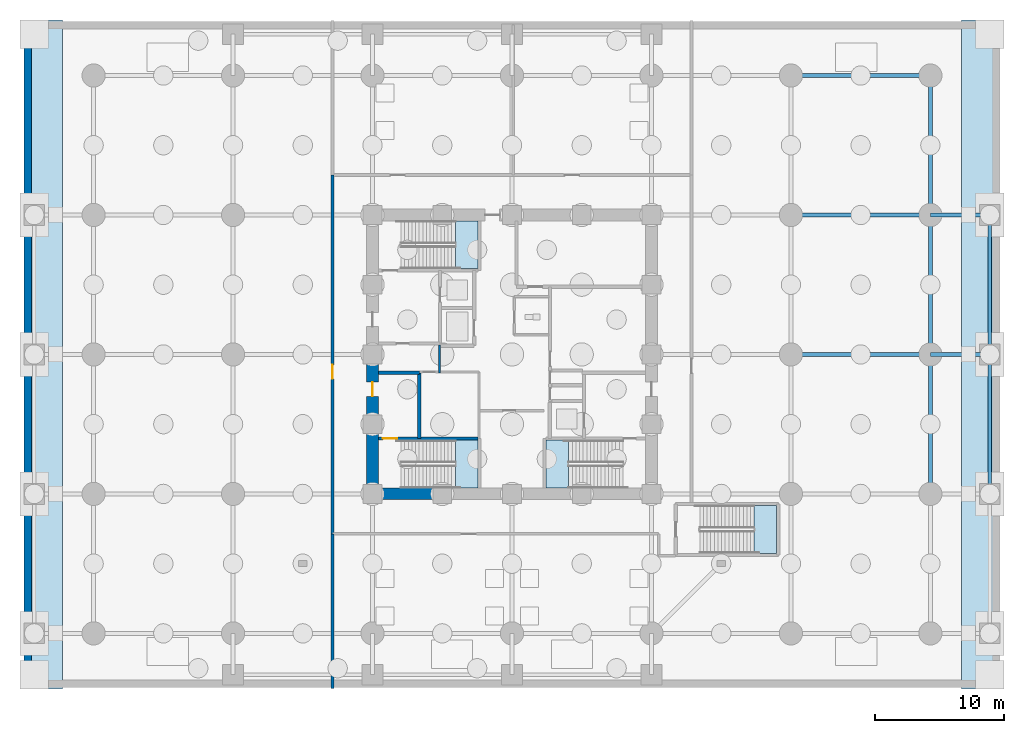
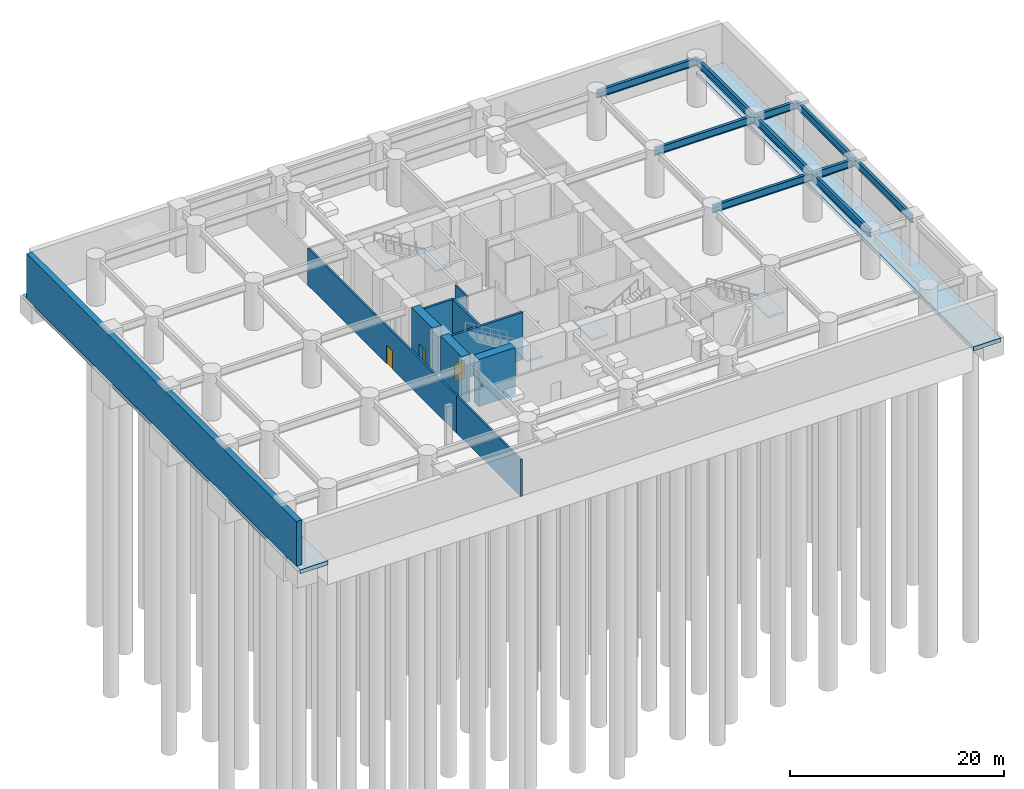
# One storey, part 3 of 9: 10 beams, 10 walls, 6 slabs, 3 doors, 3 openings, 4 elements without a shape of their own.
"""IFC4 building model written with IfcOpenShell, lengths in metres."""

from ifc_helpers import new_model, si_unit, direction, frame, frame_2d, origin, origin_2d, place, context, subcontext, project, spatial, polyline, rectangle, i_section, outline, extrude, material, layer, layer_set, material_profile, profile_set, type_object, element, fill, aggregate, save


model = new_model("IFC4")

# Units and contexts
model_context = context("Model", 3, precision=1e-05, world=origin(), true_north=direction((0.0, 1.0)))
body_context = subcontext(model_context, "Body", "Model", "MODEL_VIEW")
ifc_project = project(units=[si_unit("LENGTHUNIT", "METRE"), si_unit("AREAUNIT", "SQUARE_METRE"), si_unit("VOLUMEUNIT", "CUBIC_METRE"), si_unit("PLANEANGLEUNIT", "RADIAN"), si_unit("MASSUNIT", "GRAM", prefix="KILO")], contexts=[model_context])

# Site, building, storey
site_placement = place(None, origin())
site = spatial("IfcSite", under=ifc_project, at=site_placement, CompositionType="ELEMENT")
building_placement = place(site_placement, origin())
building = spatial("IfcBuilding", under=site, at=building_placement, Name="Surkhivell Harbour Commons", CompositionType="ELEMENT")
storey_placement = place(building_placement, frame((0.0, 0.0, -5.39990234375)))
storey = spatial("IfcBuildingStorey", under=building, at=storey_placement, Name="B1", CompositionType="ELEMENT", Elevation=-5.39990234375)

# Beams
ifc_material_1 = material(Name="Steel S460", Category="steel")
ifc_material_profile = material_profile(ifc_material_1, i_section(OverallWidth=0.2939453125, OverallDepth=0.85107421875, WebThickness=0.01611328125, FlangeThickness=0.02685546875, at=origin_2d()), Name="UB838x292x226")
ifc_profile_set = profile_set([ifc_material_profile], Name="Steel S460")
beam_type = type_object("IfcBeamType", Name="BM-SPN-838", PredefinedType="SPANDREL", material=ifc_profile_set)
for number, where, z_axis, x_axis, name in (
    (1, (21.60009765625, 0.0, 4.67431640625), (1.0, 0.0, 0.0), (0.0, 1.0, 0.0), "B1 Framing Beam (21.6,0.0)"),
    (2, (21.60009765625, 10.800048828125, 4.67431640625), (1.0, 0.0, 0.0), (0.0, 1.0, 0.0), "B1 Framing Beam (21.6,10.8)"),
    (3, (21.60009765625, 21.60009765625, 4.67431640625), (1.0, 0.0, 0.0), (0.0, 1.0, 0.0), "B1 Framing Beam (21.6,21.6)"),
):
    element("IfcBeam", number, at=place(storey_placement, frame(where, z_axis=z_axis, x_axis=x_axis)), inside=storey, type_object=beam_type, Name=name, PredefinedType="SPANDREL", context=body_context, shape_type="SweptSolid", body=[
        extrude(i_section(OverallWidth=0.2939453125, OverallDepth=0.85107421875, WebThickness=0.01611328125, FlangeThickness=0.02685546875, at=origin_2d()), origin(), (0.0, 0.0, 1.0), 10.7998046875),
    ])
for number, where, z_axis, x_axis, name in (
    (4, (32.39990234375, -10.800048828125, 4.67431640625), (0.0, 1.0, 0.0), (-1.0, 0.0, 0.0), "B1 Framing Beam (32.4,-10.8)"),
    (5, (32.39990234375, 0.0, 4.67431640625), (0.0, 1.0, 0.0), (-1.0, 0.0, 0.0), "B1 Framing Beam (32.4,0.0)"),
):
    element("IfcBeam", number, at=place(storey_placement, frame(where, z_axis=z_axis, x_axis=x_axis)), inside=storey, type_object=beam_type, Name=name, PredefinedType="SPANDREL", context=body_context, shape_type="SweptSolid", body=[
        extrude(i_section(OverallWidth=0.2939453125, OverallDepth=0.85107421875, WebThickness=0.01611328125, FlangeThickness=0.02685546875, at=origin_2d()), origin(), (0.0, 0.0, 1.0), 10.800048828125),
    ])
beam_1_placement = place(storey_placement, frame((32.39990234375, 0.0, 4.67431640625), z_axis=(1.0, 0.0, 0.0), x_axis=(0.0, 1.0, 0.0)))
element("IfcBeam", 6, at=beam_1_placement, inside=storey, type_object=beam_type, Name="B1 Framing Beam (32.4,0.0)", PredefinedType="SPANDREL", context=body_context, shape_type="SweptSolid", body=[
    extrude(i_section(OverallWidth=0.2939453125, OverallDepth=0.85107421875, WebThickness=0.01611328125, FlangeThickness=0.02685546875, at=origin_2d()), origin(), (0.0, 0.0, 1.0), 4.60009765625),
])
beam_2_placement = place(storey_placement, frame((32.39990234375, 10.800048828125, 4.67431640625), z_axis=(0.0, 1.0, 0.0), x_axis=(-1.0, 0.0, 0.0)))
element("IfcBeam", 7, at=beam_2_placement, inside=storey, type_object=beam_type, Name="B1 Framing Beam (32.4,10.8)", PredefinedType="SPANDREL", context=body_context, shape_type="SweptSolid", body=[
    extrude(i_section(OverallWidth=0.2939453125, OverallDepth=0.85107421875, WebThickness=0.01611328125, FlangeThickness=0.02685546875, at=origin_2d()), origin(), (0.0, 0.0, 1.0), 10.800048828125),
])
beam_3_placement = place(storey_placement, frame((32.39990234375, 10.800048828125, 4.67431640625), z_axis=(1.0, 0.0, 0.0), x_axis=(0.0, 1.0, 0.0)))
element("IfcBeam", 8, at=beam_3_placement, inside=storey, type_object=beam_type, Name="B1 Framing Beam (32.4,10.8)", PredefinedType="SPANDREL", context=body_context, shape_type="SweptSolid", body=[
    extrude(i_section(OverallWidth=0.2939453125, OverallDepth=0.85107421875, WebThickness=0.01611328125, FlangeThickness=0.02685546875, at=origin_2d()), origin(), (0.0, 0.0, 1.0), 4.60009765625),
])
for number, where, z_axis, x_axis, name in (
    (9, (37.0, -10.800048828125, 4.67431640625), (0.0, 1.0, 0.0), (-1.0, 0.0, 0.0), "B1 Framing Beam (37.0,-10.8)"),
    (10, (37.0, 0.0, 4.67431640625), (0.0, 1.0, 0.0), (-1.0, 0.0, 0.0), "B1 Framing Beam (37.0,0.0)"),
):
    element("IfcBeam", number, at=place(storey_placement, frame(where, z_axis=z_axis, x_axis=x_axis)), inside=storey, type_object=beam_type, Name=name, PredefinedType="SPANDREL", context=body_context, shape_type="SweptSolid", body=[
        extrude(i_section(OverallWidth=0.2939453125, OverallDepth=0.85107421875, WebThickness=0.01611328125, FlangeThickness=0.02685546875, at=origin_2d()), origin(), (0.0, 0.0, 1.0), 10.800048828125),
    ])

# Slabs
ifc_material_2 = material(Name="Concrete C50/60", Category="concrete")
ifc_layer_1 = layer(ifc_material_2, 0.449951171875)
ifc_layer_set_1 = layer_set([ifc_layer_1], Name="Concrete C50/60")
slab_type_1 = type_object("IfcSlabType", Name="SLB-BASE-450", PredefinedType="BASESLAB", material=ifc_layer_set_1)
slab_1_placement = place(storey_placement, frame((0.0, 0.0, -0.4501953125)))
element("IfcSlab", 11, at=slab_1_placement, inside=storey, type_object=slab_type_1, Name="B1 Perimeter Basement Base Slab W", PredefinedType="BASESLAB", context=body_context, shape_type="SweptSolid", body=[
    extrude(outline(polyline([(-37.800048828125, -25.89990234375), (-34.800048828125, -25.89990234375), (-34.800048828125, 25.89990234375), (-37.800048828125, 25.89990234375), (-37.800048828125, -25.89990234375)])), origin(), (0.0, 0.0, 1.0), 0.4501953125),
])
slab_2_placement = place(storey_placement, frame((0.0, 0.0, -0.4501953125)))
element("IfcSlab", 12, at=slab_2_placement, inside=storey, type_object=slab_type_1, Name="B1 Perimeter Basement Base Slab E", PredefinedType="BASESLAB", context=body_context, shape_type="SweptSolid", body=[
    extrude(outline(polyline([(34.800048828125, -25.89990234375), (37.800048828125, -25.89990234375), (37.800048828125, 25.89990234375), (34.800048828125, 25.89990234375), (34.800048828125, -25.89990234375)])), origin(), (0.0, 0.0, 1.0), 0.4501953125),
])

# Stair, slab
ifc_material_3 = material(Name="Precast concrete C45/55", Category="concrete")
stair_type = type_object("IfcStairType", Name="STR-DL-540", PredefinedType="HALF_TURN_STAIR", material=ifc_material_3)
stair_1_placement = place(storey_placement, origin())
stair_1 = element("IfcStair", 13, at=stair_1_placement, inside=storey, type_object=stair_type, Name="B1 Core Exit Stair ST1", PredefinedType="HALF_TURN_STAIR")
ifc_material_4 = material(Name="Reinforced concrete C45/55", Category="concrete")
ifc_layer_2 = layer(ifc_material_4, 0.199951171875)
ifc_layer_set_2 = layer_set([ifc_layer_2], Name="Reinforced concrete C45/55")
slab_type_2 = type_object("IfcSlabType", Name="SLB-ST-LND200", PredefinedType="LANDING", material=ifc_layer_set_2)
slab_3_placement = place(storey_placement, frame((0.0, 0.0, 2.5)))
slab_3 = element("IfcSlab", 14, at=slab_3_placement, type_object=slab_type_2, Name="ST1 landing 1", PredefinedType="LANDING", context=body_context, shape_type="SweptSolid", body=[
    extrude(outline(polyline([(-4.389892578125, 6.639892578125), (-2.639892578125, 6.639892578125), (-2.639892578125, 10.340087890625), (-4.389892578125, 10.340087890625), (-4.389892578125, 6.639892578125)])), origin(), (0.0, 0.0, 1.0), 0.199951171875),
])
aggregate(stair_1, [slab_3])

stair_2_placement = place(storey_placement, origin())
stair_2 = element("IfcStair", 15, at=stair_2_placement, inside=storey, type_object=stair_type, Name="B1 Core Exit Stair ST2", PredefinedType="HALF_TURN_STAIR")
slab_4_placement = place(storey_placement, frame((0.0, 0.0, 2.5)))
slab_4 = element("IfcSlab", 16, at=slab_4_placement, type_object=slab_type_2, Name="ST2 landing 1", PredefinedType="LANDING", context=body_context, shape_type="SweptSolid", body=[
    extrude(outline(polyline([(4.389892578125, -6.639892578125), (2.639892578125, -6.639892578125), (2.639892578125, -10.340087890625), (4.389892578125, -10.340087890625), (4.389892578125, -6.639892578125)])), origin(), (0.0, 0.0, 1.0), 0.199951171875),
])
aggregate(stair_2, [slab_4])

stair_3_placement = place(storey_placement, origin())
stair_3 = element("IfcStair", 17, at=stair_3_placement, inside=storey, type_object=stair_type, Name="B1 Core Exit Stair ST3", PredefinedType="HALF_TURN_STAIR")
slab_5_placement = place(storey_placement, frame((0.0, 0.0, 2.5)))
slab_5 = element("IfcSlab", 18, at=slab_5_placement, type_object=slab_type_2, Name="ST3 landing 1", PredefinedType="LANDING", context=body_context, shape_type="SweptSolid", body=[
    extrude(outline(polyline([(-4.389892578125, -10.340087890625), (-2.639892578125, -10.340087890625), (-2.639892578125, -6.639892578125), (-4.389892578125, -6.639892578125), (-4.389892578125, -10.340087890625)])), origin(), (0.0, 0.0, 1.0), 0.199951171875),
])
aggregate(stair_3, [slab_5])

stair_4_placement = place(storey_placement, origin())
stair_4 = element("IfcStair", 19, at=stair_4_placement, inside=storey, type_object=stair_type, Name="B1 Podium Exit Stair ST4", PredefinedType="HALF_TURN_STAIR")
slab_6_placement = place(storey_placement, frame((0.0, 0.0, 2.5)))
slab_6 = element("IfcSlab", 20, at=slab_6_placement, type_object=slab_type_2, Name="ST4 landing 1", PredefinedType="LANDING", context=body_context, shape_type="SweptSolid", body=[
    extrude(outline(polyline([(18.75, -15.39990234375), (20.5, -15.39990234375), (20.5, -11.699951171875), (18.75, -11.699951171875), (18.75, -15.39990234375)])), origin(), (0.0, 0.0, 1.0), 0.199951171875),
])
aggregate(stair_4, [slab_6])

# Walls
ifc_material_5 = material(Name="Concrete C80/95", Category="concrete")
ifc_layer_3 = layer(ifc_material_5, 0.89990234375)
ifc_layer_set_3 = layer_set([ifc_layer_3], Name="Concrete C80/95")
wall_type_1 = type_object("IfcWallType", Name="WAL-CORE-900", PredefinedType="SHEAR", material=ifc_layer_set_3)
for number, where, z_axis, x_axis, name in (
    (21, (-10.06494140625, -10.800048828125, 0.0), (0.0, 0.0, 1.0), (1.0, 0.0, 0.0), "B1 Core Shear Wall South 1"),
    (22, (-10.800048828125, -10.06494140625, 0.0), (0.0, 0.0, 1.0), (0.0, 1.0, 0.0), "B1 Core Shear Wall West 1"),
):
    element("IfcWall", number, at=place(storey_placement, frame(where, z_axis=z_axis, x_axis=x_axis)), inside=storey, type_object=wall_type_1, Name=name, PredefinedType="SHEAR", context=body_context, shape_type="SweptSolid", body=[
        extrude(rectangle(XDim=3.929931640625, YDim=0.89990234375, at=frame_2d((1.96484375, 0.0))), origin(), (0.0, 0.0, 1.0), 5.39990234375),
    ])

# Wall, opening, door
wall_1_placement = place(storey_placement, frame((-10.800048828125, -4.6650390625, 0.0), z_axis=(0.0, 0.0, 1.0), x_axis=(0.0, 1.0, 0.0)))
wall_1 = element("IfcWall", 23, at=wall_1_placement, inside=storey, type_object=wall_type_1, Name="B1 Core Shear Wall West 2", PredefinedType="SHEAR", context=body_context, shape_type="SweptSolid", body=[
    extrude(rectangle(XDim=3.929931640625, YDim=0.89990234375, at=frame_2d((1.96484375, 0.0))), origin(), (0.0, 0.0, 1.0), 5.39990234375),
])
opening_1_placement = place(wall_1_placement, frame((1.4150390625, 0.0, 0.0)))
opening_1 = element("IfcOpeningElement", 24, at=opening_1_placement, cuts=wall_1, Name="Opening ID-2", PredefinedType="OPENING", context=body_context, shape_type="SweptSolid", body=[
    extrude(rectangle(XDim=1.10009765625, YDim=2.10009765625, at=frame_2d((0.550048828125, 1.050048828125))), frame((0.0, 0.4599609375, 0.0), z_axis=(0.0, -1.0, 0.0), x_axis=(1.0, 0.0, 0.0)), (0.0, 0.0, 1.0), 0.919921875),
])
ifc_material_6 = material(Name="Hardwood-veneered fire-rated door leaf", Category="wood")
door_type = type_object("IfcDoorType", Name="DOR-FD60-1100", OperationType="NOTDEFINED", PredefinedType="DOOR", material=ifc_material_6)
door_1_placement = place(opening_1_placement, origin())
door_1 = element("IfcDoor", 25, at=door_1_placement, inside=storey, type_object=door_type, Name="B1 Stair 3 Lobby Corridor Door", OperationType="SINGLE_SWING_LEFT", OverallHeight=2.10009765625, OverallWidth=1.10009765625, PredefinedType="DOOR", context=body_context, shape_type="SweptSolid", body=[
    extrude(rectangle(XDim=1.10009765625, YDim=2.10009765625, at=frame_2d((0.550048828125, 1.050048828125))), frame((0.0, 0.02490234375, 0.0), z_axis=(0.0, -1.0, 0.0), x_axis=(1.0, 0.0, 0.0)), (0.0, 0.0, 1.0), 0.050048828125),
])
fill(opening_1, door_1)

# Walls
ifc_material_7 = material(Name="High-density acoustic blockwork fire partition", Category="masonry")
ifc_layer_4 = layer(ifc_material_7, 0.175048828125)
ifc_layer_set_4 = layer_set([ifc_layer_4], Name="High-density acoustic blockwork fire partition")
wall_type_2 = type_object("IfcWallType", Name="WAL-INT-175", PredefinedType="PARTITIONING", material=ifc_layer_set_4)
wall_2_placement = place(storey_placement, frame((-5.6201171875, -1.419921875, 0.0), z_axis=(0.0, 0.0, 1.0), x_axis=(0.0, 1.0, 0.0)))
element("IfcWall", 26, at=wall_2_placement, inside=storey, type_object=wall_type_2, Name="B1 West Core Bay East Wall", PredefinedType="PARTITIONING", context=body_context, shape_type="SweptSolid", body=[
    extrude(rectangle(XDim=2.139892578125, YDim=0.175048828125, at=frame_2d((1.06982421875, 0.0))), origin(), (0.0, 0.0, 1.0), 5.099853515625),
])
ifc_material_8 = material(Name="Autoclaved aerated concrete blockwork and fire plaster", Category="masonry")
ifc_layer_5 = layer(ifc_material_8, 0.199951171875)
ifc_layer_set_5 = layer_set([ifc_layer_5], Name="Autoclaved aerated concrete blockwork and fire plaster")
wall_type_3 = type_object("IfcWallType", Name="WAL-INT-200", PredefinedType="PARTITIONING", material=ifc_layer_set_5)
wall_3_placement = place(storey_placement, frame((-13.89990234375, -25.860107421875, 0.0), z_axis=(0.0, 0.0, 1.0), x_axis=(0.0, 1.0, 0.0)))
element("IfcWall", 27, at=wall_3_placement, inside=storey, type_object=wall_type_3, Name="B1 Corner SW Divider", PredefinedType="PARTITIONING", context=body_context, shape_type="SweptSolid", body=[
    extrude(rectangle(XDim=11.960205078125, YDim=0.199951171875, at=frame_2d((5.97998046875, 0.0))), origin(), (0.0, 0.0, 1.0), 4.22900390625),
])

# Wall, opening, door
wall_4_placement = place(storey_placement, frame((-13.89990234375, -13.89990234375, 0.0), z_axis=(0.0, 0.0, 1.0), x_axis=(0.0, 1.0, 0.0)))
wall_4 = element("IfcWall", 28, at=wall_4_placement, inside=storey, type_object=wall_type_3, Name="B1 Corridor West Wall", PredefinedType="PARTITIONING", context=body_context, shape_type="SweptSolid", body=[
    extrude(rectangle(XDim=27.7998046875, YDim=0.199951171875, at=frame_2d((13.89990234375, 0.0))), origin(), (0.0, 0.0, 1.0), 4.22900390625),
])
opening_2_placement = place(wall_4_placement, frame((12.0, 0.0, 0.0)))
opening_2 = element("IfcOpeningElement", 29, at=opening_2_placement, cuts=wall_4, Name="Opening ID-2", PredefinedType="OPENING", context=body_context, shape_type="SweptSolid", body=[
    extrude(rectangle(XDim=1.10009765625, YDim=2.10009765625, at=frame_2d((0.550048828125, 1.050048828125))), frame((0.0, 0.10986328125, 0.0), z_axis=(0.0, -1.0, 0.0), x_axis=(1.0, 0.0, 0.0)), (0.0, 0.0, 1.0), 0.219970703125),
])
door_2_placement = place(opening_2_placement, origin())
door_2 = element("IfcDoor", 30, at=door_2_placement, inside=storey, type_object=door_type, Name="B1 HV Switchgear and Transformer Room Door", OperationType="SINGLE_SWING_RIGHT", OverallHeight=2.10009765625, OverallWidth=1.10009765625, PredefinedType="DOOR", context=body_context, shape_type="SweptSolid", body=[
    extrude(rectangle(XDim=1.10009765625, YDim=2.10009765625, at=frame_2d((0.550048828125, 1.050048828125))), frame((0.0, 0.02490234375, 0.0), z_axis=(0.0, -1.0, 0.0), x_axis=(1.0, 0.0, 0.0)), (0.0, 0.0, 1.0), 0.050048828125),
])
fill(opening_2, door_2)

# Walls
ifc_layer_6 = layer(ifc_material_2, 0.60009765625)
ifc_layer_set_6 = layer_set([ifc_layer_6], Name="Concrete C50/60")
wall_type_4 = type_object("IfcWallType", Name="WAL-RET-600", PredefinedType="SOLIDWALL", material=ifc_layer_set_6)
wall_5_placement = place(storey_placement, frame((-37.5, -25.199951171875, 0.0), z_axis=(0.0, 0.0, 1.0), x_axis=(0.0, 1.0, 0.0)))
element("IfcWall", 31, at=wall_5_placement, inside=storey, type_object=wall_type_4, Name="B1 Perimeter RC Retaining Wall W", PredefinedType="SOLIDWALL", context=body_context, shape_type="SweptSolid", body=[
    extrude(rectangle(XDim=50.39990234375, YDim=0.60009765625, at=frame_2d((25.199951171875, 0.0))), origin(), (0.0, 0.0, 1.0), 5.099853515625),
])
ifc_layer_7 = layer(ifc_material_2, 0.25)
ifc_layer_set_7 = layer_set([ifc_layer_7], Name="Concrete C50/60")
wall_type_5 = type_object("IfcWallType", Name="WAL-SHAFT-250", PredefinedType="SHEAR", material=ifc_layer_set_7)
wall_6_placement = place(storey_placement, frame((-7.179931640625, -6.510009765625, 0.0), z_axis=(0.0, 0.0, 1.0), x_axis=(0.0, 1.0, 0.0)))
element("IfcWall", 32, at=wall_6_placement, inside=storey, type_object=wall_type_5, Name="B1 Stair 3 Lobby East Wall", PredefinedType="SHEAR", context=body_context, shape_type="SweptSolid", body=[
    extrude(rectangle(XDim=5.090087890625, YDim=0.25, at=frame_2d((2.544921875, 0.0))), origin(), (0.0, 0.0, 1.0), 5.39990234375),
])
wall_7_placement = place(storey_placement, frame((-10.340087890625, -1.419921875, 0.0), z_axis=(0.0, 0.0, 1.0), x_axis=(1.0, 0.0, 0.0)))
element("IfcWall", 33, at=wall_7_placement, inside=storey, type_object=wall_type_5, Name="B1 Stair 3 Lobby North Wall", PredefinedType="SHEAR", context=body_context, shape_type="SweptSolid", body=[
    extrude(rectangle(XDim=3.16015625, YDim=0.25, at=frame_2d((1.580078125, 0.0))), origin(), (0.0, 0.0, 1.0), 5.39990234375),
])

# Wall, opening, door
wall_8_placement = place(storey_placement, frame((-10.340087890625, -6.510009765625, 0.0), z_axis=(0.0, 0.0, 1.0), x_axis=(1.0, 0.0, 0.0)))
wall_8 = element("IfcWall", 34, at=wall_8_placement, inside=storey, type_object=wall_type_5, Name="B1 Stair ST3 North Shear Wall", PredefinedType="SHEAR", context=body_context, shape_type="SweptSolid", body=[
    extrude(rectangle(XDim=7.7001953125, YDim=0.25, at=frame_2d((3.85009765625, 0.0))), origin(), (0.0, 0.0, 1.0), 5.39990234375),
])
opening_3_placement = place(wall_8_placement, frame((0.35009765625, 0.0, 0.0)))
opening_3 = element("IfcOpeningElement", 35, at=opening_3_placement, cuts=wall_8, Name="Opening ID-2", PredefinedType="OPENING", context=body_context, shape_type="SweptSolid", body=[
    extrude(rectangle(XDim=1.10009765625, YDim=2.10009765625, at=frame_2d((0.550048828125, 1.050048828125))), frame((0.0, 0.135009765625, 0.0), z_axis=(0.0, -1.0, 0.0), x_axis=(1.0, 0.0, 0.0)), (0.0, 0.0, 1.0), 0.27001953125),
])
door_3_placement = place(opening_3_placement, origin())
door_3 = element("IfcDoor", 36, at=door_3_placement, inside=storey, type_object=door_type, Name="B1 Stair ST3 Exit Door", OperationType="SINGLE_SWING_RIGHT", OverallHeight=2.10009765625, OverallWidth=1.10009765625, PredefinedType="DOOR", context=body_context, shape_type="SweptSolid", body=[
    extrude(rectangle(XDim=1.10009765625, YDim=2.10009765625, at=frame_2d((0.550048828125, 1.050048828125))), frame((0.0, 0.02490234375, 0.0), z_axis=(0.0, -1.0, 0.0), x_axis=(1.0, 0.0, 0.0)), (0.0, 0.0, 1.0), 0.050048828125),
])
fill(opening_3, door_3)

save(model, "model.ifc")
